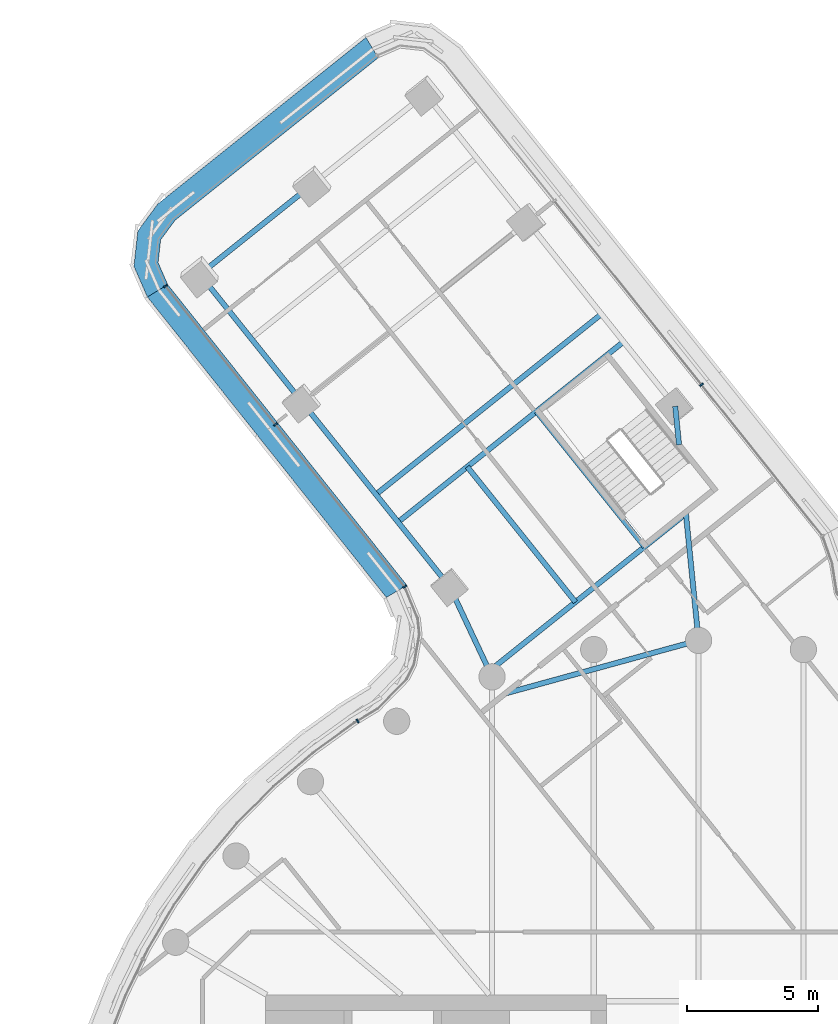
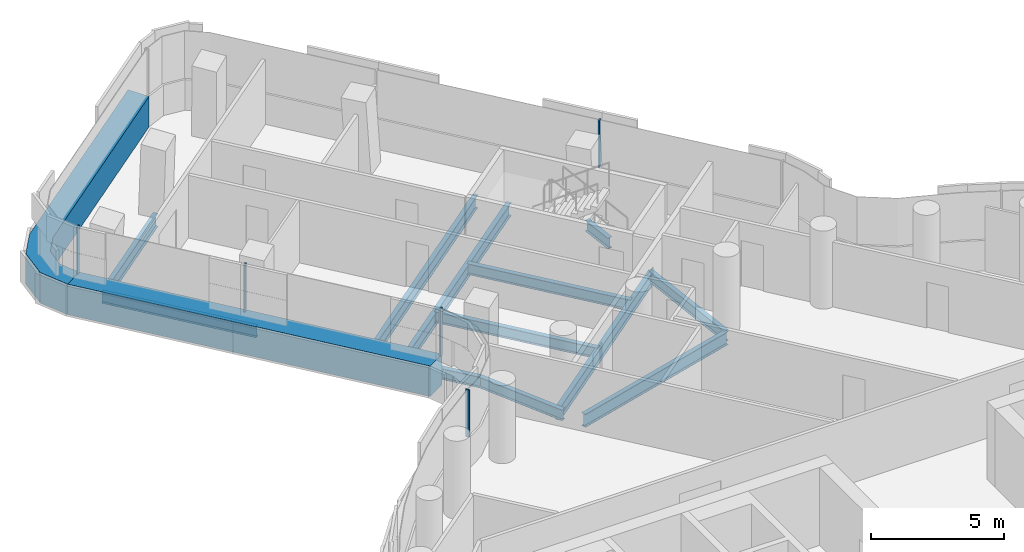
# One storey, part 13 of 31: 12 beams, 7 members, 4 elements without a shape of their own.
"""IFC4 building model written with IfcOpenShell, lengths in metres."""

from ifc_helpers import new_model, si_unit, direction, frame, origin, origin_2d, place, context, subcontext, project, spatial, polyline, rectangle, i_section, outline, extrude, material, layer, layer_set, material_profile, profile_set, type_object, element, aggregate, save


model = new_model("IFC4")

# Units and contexts
model_context = context("Model", 3, precision=1e-05, world=origin(), true_north=direction((0.0, 1.0)))
body_context = subcontext(model_context, "Body", "Model", "MODEL_VIEW")
ifc_project = project(units=[si_unit("LENGTHUNIT", "METRE"), si_unit("AREAUNIT", "SQUARE_METRE"), si_unit("VOLUMEUNIT", "CUBIC_METRE"), si_unit("PLANEANGLEUNIT", "RADIAN"), si_unit("MASSUNIT", "GRAM", prefix="KILO")], contexts=[model_context])

# Site, building, storey
site_placement = place(None, origin())
site = spatial("IfcSite", under=ifc_project, at=site_placement, CompositionType="ELEMENT")
building_placement = place(site_placement, origin())
building = spatial("IfcBuilding", under=site, at=building_placement, Name="Tamarind Cross Interchange Tower", CompositionType="ELEMENT")
storey_placement = place(building_placement, frame((0.0, 0.0, 174.25)))
storey = spatial("IfcBuildingStorey", under=building, at=storey_placement, Name="L43", CompositionType="ELEMENT", Elevation=174.25)

# Beams
ifc_material_1 = material(Name="Steel Q355B", Category="steel")
ifc_material_profile_1 = material_profile(ifc_material_1, i_section(OverallWidth=0.198974609375, OverallDepth=0.49609375, WebThickness=0.009033203125, FlangeThickness=0.013916015625, FilletRadius=0.012939453125, at=origin_2d()), Name="HN 496x199x9x14")
ifc_profile_set_1 = profile_set([ifc_material_profile_1], Name="Steel Q355B")
beam_type_1 = type_object("IfcBeamType", Name="Composite beam HN 496x199x9x14 Q355B", PredefinedType="BEAM", material=ifc_profile_set_1)
beam_1_placement = place(storey_placement, frame((-18.996826171875, 36.943359375, -0.387939453125), z_axis=(0.624652076145, -0.780903184631, 0.0), x_axis=(0.780903184631, 0.624652076145, 0.0)))
element("IfcBeam", 1, at=beam_1_placement, inside=storey, type_object=beam_type_1, Name="Beam N-edgeep2", PredefinedType="BEAM", context=body_context, shape_type="SweptSolid", body=[
    extrude(i_section(OverallWidth=0.198974609375, OverallDepth=0.49609375, WebThickness=0.009033203125, FlangeThickness=0.013916015625, FilletRadius=0.012939453125, at=origin_2d()), origin(), (0.0, 0.0, 1.0), 6.23583984375),
])
beam_2_placement = place(storey_placement, frame((-15.1015625, 32.07373046875, -0.387939453125), z_axis=(0.624652040483, -0.780903213158, 0.0), x_axis=(0.780903213158, 0.624652040483, 0.0)))
element("IfcBeam", 2, at=beam_2_placement, inside=storey, type_object=beam_type_1, Name="Beam N-edgeep3", PredefinedType="BEAM", context=body_context, shape_type="SweptSolid", body=[
    extrude(i_section(OverallWidth=0.198974609375, OverallDepth=0.49609375, WebThickness=0.009033203125, FlangeThickness=0.013916015625, FilletRadius=0.012939453125, at=origin_2d()), origin(), (0.0, 0.0, 1.0), 9.0),
])
beam_3_placement = place(storey_placement, frame((-0.889892578125, 31.9169921875, -0.387939453125), z_axis=(0.099290005994, -0.995058538333, 0.0), x_axis=(0.995058538333, 0.099290005994, 0.0)))
element("IfcBeam", 3, at=beam_3_placement, inside=storey, type_object=beam_type_1, Name="Beam N-linkemt0", PredefinedType="BEAM", context=body_context, shape_type="SweptSolid", body=[
    extrude(i_section(OverallWidth=0.198974609375, OverallDepth=0.49609375, WebThickness=0.009033203125, FlangeThickness=0.013916015625, FilletRadius=0.012939453125, at=origin_2d()), origin(), (0.0, 0.0, 1.0), 1.470458984375),
])
beam_4_placement = place(storey_placement, frame((-0.487548828125, 27.885009765625, -0.387939453125), z_axis=(0.099311688736, -0.995056374524, 0.0), x_axis=(0.995056374524, 0.099311688736, 0.0)))
element("IfcBeam", 4, at=beam_4_placement, inside=storey, type_object=beam_type_1, Name="Beam N-linkemt1", PredefinedType="BEAM", context=body_context, shape_type="SweptSolid", body=[
    extrude(i_section(OverallWidth=0.198974609375, OverallDepth=0.49609375, WebThickness=0.009033203125, FlangeThickness=0.013916015625, FilletRadius=0.012939453125, at=origin_2d()), origin(), (0.0, 0.0, 1.0), 4.9091796875),
])
beam_5_placement = place(storey_placement, frame((-9.479736328125, 25.045654296875, -0.387939453125), z_axis=(0.425350595271, -0.905028657614, 0.0), x_axis=(0.905028657614, 0.425350595271, 0.0)))
element("IfcBeam", 5, at=beam_5_placement, inside=storey, type_object=beam_type_1, Name="Beam N-linkep", PredefinedType="BEAM", context=body_context, shape_type="SweptSolid", body=[
    extrude(i_section(OverallWidth=0.198974609375, OverallDepth=0.49609375, WebThickness=0.009033203125, FlangeThickness=0.013916015625, FilletRadius=0.012939453125, at=origin_2d()), origin(), (0.0, 0.0, 1.0), 3.792724609375),
])
beam_6_placement = place(storey_placement, frame((-2.053466796875, 26.568115234375, -0.387939453125), z_axis=(-0.624654447649, 0.780901287637, 0.0), x_axis=(-0.780901287637, -0.624654447649, 0.0)))
element("IfcBeam", 6, at=beam_6_placement, inside=storey, type_object=beam_type_1, Name="Beam N-tr1", PredefinedType="BEAM", context=body_context, shape_type="SweptSolid", body=[
    extrude(i_section(OverallWidth=0.198974609375, OverallDepth=0.49609375, WebThickness=0.009033203125, FlangeThickness=0.013916015625, FilletRadius=0.012939453125, at=origin_2d()), origin(), (0.0, 0.0, 1.0), 6.60009765625),
])
beam_7_placement = place(storey_placement, frame((-4.68896484375, 24.4599609375, -0.387939453125), z_axis=(-0.624672491608, 0.780886853666, 0.0), x_axis=(-0.780886853666, -0.624672491608, 0.0)))
element("IfcBeam", 7, at=beam_7_placement, inside=storey, type_object=beam_type_1, Name="Beam N-stripp", PredefinedType="BEAM", context=body_context, shape_type="SweptSolid", body=[
    extrude(i_section(OverallWidth=0.198974609375, OverallDepth=0.49609375, WebThickness=0.009033203125, FlangeThickness=0.013916015625, FilletRadius=0.012939453125, at=origin_2d()), origin(), (0.0, 0.0, 1.0), 6.599853515625),
])
ifc_material_profile_2 = material_profile(ifc_material_1, i_section(OverallWidth=0.199951171875, OverallDepth=0.60009765625, WebThickness=0.010986328125, FlangeThickness=0.01708984375, FilletRadius=0.012939453125, at=origin_2d()), Name="HN 600x200x11x17")
ifc_profile_set_2 = profile_set([ifc_material_profile_2], Name="Steel Q355B")
beam_type_2 = type_object("IfcBeamType", Name="Composite beam HN 600x200x11x17 Q355B", PredefinedType="BEAM", material=ifc_profile_set_2)
beam_8_placement = place(storey_placement, frame((-14.701904296875, 40.37890625, -0.43994140625), z_axis=(-0.780903453855, -0.624651739578, 0.0), x_axis=(0.624651739578, -0.780903453855, 0.0)))
element("IfcBeam", 8, at=beam_8_placement, inside=storey, type_object=beam_type_2, Name="Beam N-tip1", PredefinedType="BEAM", context=body_context, shape_type="SweptSolid", body=[
    extrude(i_section(OverallWidth=0.199951171875, OverallDepth=0.60009765625, WebThickness=0.010986328125, FlangeThickness=0.01708984375, FilletRadius=0.012939453125, at=origin_2d()), origin(), (0.0, 0.0, 1.0), 5.5),
])
beam_9_placement = place(storey_placement, frame((-0.4814453125, 27.82568359375, -0.43994140625), z_axis=(-0.780891160636, -0.624667107538, 0.0), x_axis=(0.624667107538, -0.780891160636, 0.0)))
element("IfcBeam", 9, at=beam_9_placement, inside=storey, type_object=beam_type_2, Name="Beam N-x268", PredefinedType="BEAM", context=body_context, shape_type="SweptSolid", body=[
    extrude(i_section(OverallWidth=0.199951171875, OverallDepth=0.60009765625, WebThickness=0.010986328125, FlangeThickness=0.01708984375, FilletRadius=0.012939453125, at=origin_2d()), origin(), (0.0, 0.0, 1.0), 9.590576171875),
])
beam_10_placement = place(storey_placement, frame((-2.857421875, 34.376953125, -0.43994140625), z_axis=(-0.780892627404, -0.62466527394, 0.0), x_axis=(0.62466527394, -0.780892627404, 0.0)))
element("IfcBeam", 10, at=beam_10_placement, inside=storey, type_object=beam_type_2, Name="Beam N-x334", PredefinedType="BEAM", context=body_context, shape_type="SweptSolid", body=[
    extrude(i_section(OverallWidth=0.199951171875, OverallDepth=0.60009765625, WebThickness=0.010986328125, FlangeThickness=0.01708984375, FilletRadius=0.012939453125, at=origin_2d()), origin(), (0.0, 0.0, 1.0), 11.0),
])
beam_11_placement = place(storey_placement, frame((0.0, 23.0, -0.43994140625), z_axis=(-0.964300203766, -0.264811474482, 0.0), x_axis=(0.264811474482, -0.964300203766, 0.0)))
element("IfcBeam", 11, at=beam_11_placement, inside=storey, type_object=beam_type_2, Name="Beam N-x258", PredefinedType="BEAM", context=body_context, shape_type="SweptSolid", body=[
    extrude(i_section(OverallWidth=0.199951171875, OverallDepth=0.60009765625, WebThickness=0.010986328125, FlangeThickness=0.01708984375, FilletRadius=0.012939453125, at=origin_2d()), origin(), (0.0, 0.0, 1.0), 7.6318359375),
])
beam_12_placement = place(storey_placement, frame((-3.70068359375, 35.43115234375, -0.43994140625), z_axis=(-0.780892627404, -0.62466527394, 0.0), x_axis=(0.62466527394, -0.780892627404, 0.0)))
element("IfcBeam", 12, at=beam_12_placement, inside=storey, type_object=beam_type_2, Name="Beam N-x348", PredefinedType="BEAM", context=body_context, shape_type="SweptSolid", body=[
    extrude(i_section(OverallWidth=0.199951171875, OverallDepth=0.60009765625, WebThickness=0.010986328125, FlangeThickness=0.01708984375, FilletRadius=0.012939453125, at=origin_2d()), origin(), (0.0, 0.0, 1.0), 11.0),
])

# Curtain wall, member
ifc_material_2 = material(Name="Aluminium 6063-T6", Category="aluminium")
ifc_layer = layer(ifc_material_2, 0.159912109375)
ifc_layer_set = layer_set([ifc_layer], Name="Aluminium 6063-T6")
curtain_wall_type = type_object("IfcCurtainWallType", Name="Office curtain wall, 9.0 m bays", PredefinedType="NOTDEFINED", material=ifc_layer_set)
curtain_wall_1_placement = place(storey_placement, origin())
curtain_wall_1 = element("IfcCurtainWall", 13, at=curtain_wall_1_placement, inside=storey, type_object=curtain_wall_type, Name="CWS-L43-12", PredefinedType="NOTDEFINED")
ifc_material_3 = material(Name="Aluminium and insulated spandrel panel", Category="aluminium")
member_type_1 = type_object("IfcMemberType", Name="Floor-edge blade transom", PredefinedType="USERDEFINED", material=ifc_material_3)
member_1_placement = place(storey_placement, origin())
member_1 = element("IfcMember", 14, at=member_1_placement, type_object=member_type_1, Name="CWT-L43-12", ObjectType="TRANSOM", PredefinedType="USERDEFINED", context=body_context, shape_type="SweptSolid", body=[
    extrude(outline(polyline([(-12.201171875, 45.193603515625), (-19.9482421875, 38.996337890625), (-20.49072265625, 38.259033203125), (-20.58740234375, 37.389892578125), (-20.219970703125, 36.551025390625), (-20.997314453125, 36.08251953125), (-21.508544921875, 37.24951171875), (-21.358642578125, 38.59814453125), (-20.60302734375, 39.625), (-12.670654296875, 45.970458984375), (-12.201171875, 45.193603515625)])), origin(), (0.0, 0.0, 1.0), 1.39990234375),
])
aggregate(curtain_wall_1, [member_1])

curtain_wall_2_placement = place(storey_placement, origin())
curtain_wall_2 = element("IfcCurtainWall", 15, at=curtain_wall_2_placement, inside=storey, type_object=curtain_wall_type, Name="CWS-L43-13", PredefinedType="NOTDEFINED")
member_2_placement = place(storey_placement, origin())
member_2 = element("IfcMember", 16, at=member_2_placement, type_object=member_type_1, Name="CWT-L43-13", ObjectType="TRANSOM", PredefinedType="USERDEFINED", context=body_context, shape_type="SweptSolid", body=[
    extrude(outline(polyline([(-20.219970703125, 36.551025390625), (-11.109375, 25.097900390625), (-11.893310546875, 24.637451171875), (-20.997314453125, 36.08251953125), (-20.219970703125, 36.551025390625)])), origin(), (0.0, 0.0, 1.0), 1.39990234375),
])

curtain_wall_3_placement = place(storey_placement, origin())
curtain_wall_3 = element("IfcCurtainWall", 17, at=curtain_wall_3_placement, inside=storey, type_object=curtain_wall_type, Name="CWS-L43-11", PredefinedType="NOTDEFINED")
ifc_material_profile_3 = material_profile(ifc_material_2, rectangle(XDim=0.06005859375, YDim=0.159912109375, at=origin_2d()), Name="Mullion CW1")
ifc_profile_set_3 = profile_set([ifc_material_profile_3], Name="Aluminium 6063-T6")
member_type_2 = type_object("IfcMemberType", Name="Mullion CW1", PredefinedType="MULLION", material=ifc_profile_set_3)
member_3_placement = place(storey_placement, frame((0.1162109375, 32.740478515625, 1.39990234375), z_axis=(0.0, 0.0, 1.0), x_axis=(-0.624664951388, 0.780892885425, 0.0)))
member_3 = element("IfcMember", 18, at=member_3_placement, type_object=member_type_2, Name="CWM-L43-11-01", PredefinedType="MULLION", context=body_context, shape_type="SweptSolid", body=[
    extrude(rectangle(XDim=0.06005859375, YDim=0.159912109375, at=origin_2d()), origin(), (0.0, 0.0, 1.0), 2.170166015625),
])
aggregate(curtain_wall_3, [member_3])

# Member
member_4_placement = place(storey_placement, frame((-20.30615234375, 36.498779296875, 1.39990234375), z_axis=(0.0, 0.0, 1.0), x_axis=(0.516222294281, -0.856454635627, 0.0)))
member_4 = element("IfcMember", 19, at=member_4_placement, type_object=member_type_2, Name="CWM-L43-13-00", PredefinedType="MULLION", context=body_context, shape_type="SweptSolid", body=[
    extrude(rectangle(XDim=0.06005859375, YDim=0.159912109375, at=origin_2d()), origin(), (0.0, 0.0, 1.0), 2.170166015625),
])

member_5_placement = place(storey_placement, frame((-16.114013671875, 31.228515625, 1.39990234375), z_axis=(0.0, 0.0, 1.0), x_axis=(0.622525287487, -0.782599684666, 0.0)))
member_5 = element("IfcMember", 20, at=member_5_placement, type_object=member_type_2, Name="CWM-L43-13-01", PredefinedType="MULLION", context=body_context, shape_type="SweptSolid", body=[
    extrude(rectangle(XDim=0.06005859375, YDim=0.159912109375, at=origin_2d()), origin(), (0.0, 0.0, 1.0), 2.170166015625),
])

aggregate(curtain_wall_2, [member_4, member_5, member_2])

# Curtain wall, members
curtain_wall_4_placement = place(storey_placement, origin())
curtain_wall_4 = element("IfcCurtainWall", 21, at=curtain_wall_4_placement, inside=storey, type_object=curtain_wall_type, Name="CWS-L43-14", PredefinedType="NOTDEFINED")
member_6_placement = place(storey_placement, frame((-11.196533203125, 25.046630859375, 1.39990234375), z_axis=(0.0, 0.0, 1.0), x_axis=(0.506387674577, -0.86230593355, 0.0)))
member_6 = element("IfcMember", 22, at=member_6_placement, type_object=member_type_2, Name="CWM-L43-14-00", PredefinedType="MULLION", context=body_context, shape_type="SweptSolid", body=[
    extrude(rectangle(XDim=0.06005859375, YDim=0.159912109375, at=origin_2d()), origin(), (0.0, 0.0, 1.0), 2.170166015625),
])
member_7_placement = place(storey_placement, frame((-12.989501953125, 19.932373046875, 1.39990234375), z_axis=(0.0, 0.0, 1.0), x_axis=(-0.854662661757, -0.519183719505, 0.0)))
member_7 = element("IfcMember", 23, at=member_7_placement, type_object=member_type_2, Name="CWM-L43-14-01", PredefinedType="MULLION", context=body_context, shape_type="SweptSolid", body=[
    extrude(rectangle(XDim=0.06005859375, YDim=0.159912109375, at=origin_2d()), origin(), (0.0, 0.0, 1.0), 2.170166015625),
])
aggregate(curtain_wall_4, [member_6, member_7])

save(model, "model.ifc")
